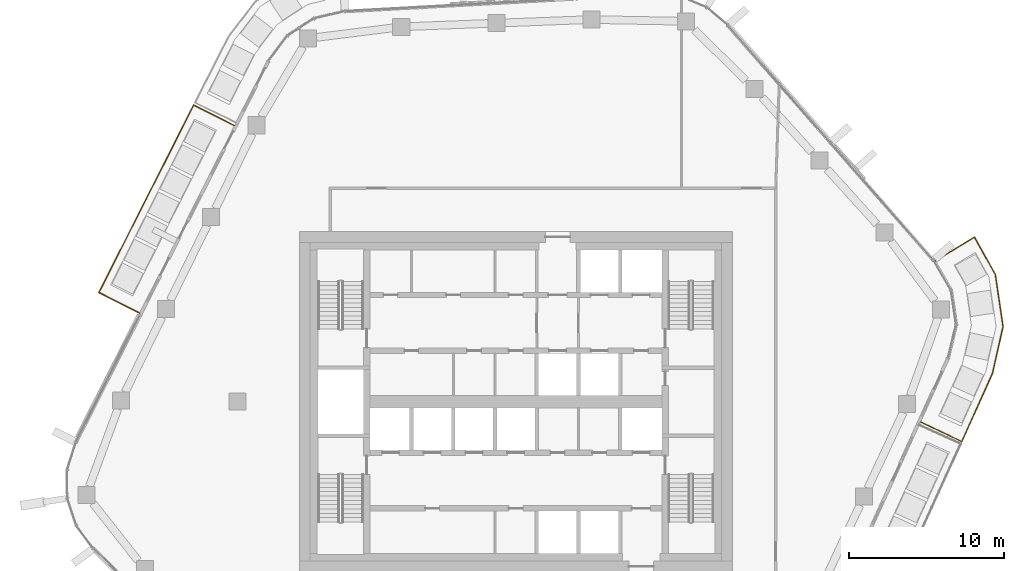
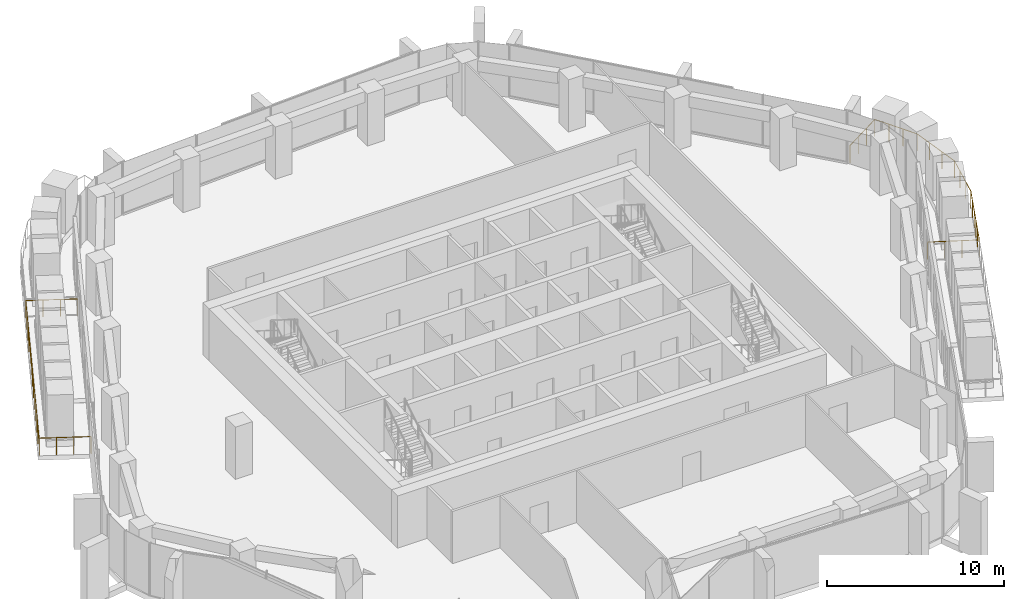
# One storey, part 18 of 21: 2 railings.
"""IFC4 building model written with IfcOpenShell, lengths in metres."""

from ifc_helpers import new_model, si_unit, direction, frame, origin, origin_2d, place, context, subcontext, project, spatial, circle, extrude, material, type_object, element, save


model = new_model("IFC4")

# Units and contexts
model_context = context("Model", 3, precision=1e-05, world=origin(), true_north=direction((0.0, 1.0)))
body_context = subcontext(model_context, "Body", "Model", "MODEL_VIEW")
ifc_project = project(units=[si_unit("LENGTHUNIT", "METRE"), si_unit("AREAUNIT", "SQUARE_METRE"), si_unit("VOLUMEUNIT", "CUBIC_METRE"), si_unit("PLANEANGLEUNIT", "RADIAN"), si_unit("MASSUNIT", "GRAM", prefix="KILO")], contexts=[model_context])

# Site, building, storey
site_placement = place(None, origin())
site = spatial("IfcSite", under=ifc_project, at=site_placement, CompositionType="ELEMENT")
building_placement = place(site_placement, origin())
building = spatial("IfcBuilding", under=site, at=building_placement, Name="Dongbaek Canopy Tower", CompositionType="ELEMENT")
storey_placement = place(building_placement, frame((0.0, 0.0, 279.0)))
storey = spatial("IfcBuildingStorey", under=building, at=storey_placement, Name="L59", CompositionType="ELEMENT", Elevation=279.0)

# Railings
ifc_material = material(Name="Stainless steel", Category="steel")
railing_type = type_object("IfcRailingType", Name="Balcony balustrade 1200", PredefinedType="BALUSTRADE", material=ifc_material)
railing_1_placement = place(storey_placement, frame((-18.214111328125, 17.8583984375, 0.0)))
element("IfcRailing", 1, at=railing_1_placement, inside=storey, type_object=railing_type, Name="Balcony guard L59 1", PredefinedType="BALUSTRADE", context=body_context, shape_type="SweptSolid", body=[
    extrude(circle(Radius=0.02392578125, at=origin_2d()), frame((0.0, 0.0, 1.17578125), z_axis=(-0.892475514036, 0.451095839978, 0.0), x_axis=(-0.451095839978, -0.892475514036, 0.0)), (0.0, 0.0, 1.0), 2.93994140625),
    extrude(circle(Radius=0.02392578125, at=origin_2d()), frame((-2.623779296875, 1.326171875, 1.17578125), z_axis=(-0.451048184688, -0.89249959949, 0.0), x_axis=(0.89249959949, -0.451048184688, 0.0)), (0.0, 0.0, 1.0), 13.5849609375),
    extrude(circle(Radius=0.02392578125, at=origin_2d()), frame((-8.751220703125, -10.79833984375, 1.17578125), z_axis=(0.892492410601, -0.451062409228, 0.0), x_axis=(0.451062409228, 0.892492410601, 0.0)), (0.0, 0.0, 1.0), 2.940185546875),
    extrude(circle(Radius=0.02099609375, at=origin_2d()), origin(), (0.0, 0.0, 1.0), 1.15185546875),
    extrude(circle(Radius=0.02099609375, at=origin_2d()), frame((-0.87451171875, 0.442138671875, 0.0)), (0.0, 0.0, 1.0), 1.15185546875),
    extrude(circle(Radius=0.02099609375, at=origin_2d()), frame((-1.749267578125, 0.884033203125, 0.0)), (0.0, 0.0, 1.0), 1.15185546875),
    extrude(circle(Radius=0.02099609375, at=origin_2d()), frame((-2.623779296875, 1.326171875, 0.0)), (0.0, 0.0, 1.0), 1.15185546875),
    extrude(circle(Radius=0.02099609375, at=origin_2d()), frame((-3.13427734375, 0.31591796875, 0.0)), (0.0, 0.0, 1.0), 1.15185546875),
    extrude(circle(Radius=0.02099609375, at=origin_2d()), frame((-3.64501953125, -0.694580078125, 0.0)), (0.0, 0.0, 1.0), 1.15185546875),
    extrude(circle(Radius=0.02099609375, at=origin_2d()), frame((-4.15576171875, -1.705078125, 0.0)), (0.0, 0.0, 1.0), 1.15185546875),
    extrude(circle(Radius=0.02099609375, at=origin_2d()), frame((-4.666259765625, -2.71533203125, 0.0)), (0.0, 0.0, 1.0), 1.15185546875),
    extrude(circle(Radius=0.02099609375, at=origin_2d()), frame((-5.1767578125, -3.7255859375, 0.0)), (0.0, 0.0, 1.0), 1.15185546875),
    extrude(circle(Radius=0.02099609375, at=origin_2d()), frame((-5.6875, -4.736083984375, 0.0)), (0.0, 0.0, 1.0), 1.15185546875),
    extrude(circle(Radius=0.02099609375, at=origin_2d()), frame((-6.1982421875, -5.74658203125, 0.0)), (0.0, 0.0, 1.0), 1.15185546875),
    extrude(circle(Radius=0.02099609375, at=origin_2d()), frame((-6.708740234375, -6.7568359375, 0.0)), (0.0, 0.0, 1.0), 1.15185546875),
    extrude(circle(Radius=0.02099609375, at=origin_2d()), frame((-7.21923828125, -7.76708984375, 0.0)), (0.0, 0.0, 1.0), 1.15185546875),
    extrude(circle(Radius=0.02099609375, at=origin_2d()), frame((-7.72998046875, -8.777587890625, 0.0)), (0.0, 0.0, 1.0), 1.15185546875),
    extrude(circle(Radius=0.02099609375, at=origin_2d()), frame((-8.24072265625, -9.7880859375, 0.0)), (0.0, 0.0, 1.0), 1.15185546875),
    extrude(circle(Radius=0.02099609375, at=origin_2d()), frame((-8.751220703125, -10.79833984375, 0.0)), (0.0, 0.0, 1.0), 1.15185546875),
    extrude(circle(Radius=0.02099609375, at=origin_2d()), frame((-7.87646484375, -11.240478515625, 0.0)), (0.0, 0.0, 1.0), 1.15185546875),
    extrude(circle(Radius=0.02099609375, at=origin_2d()), frame((-7.001953125, -11.682373046875, 0.0)), (0.0, 0.0, 1.0), 1.15185546875),
    extrude(circle(Radius=0.02099609375, at=origin_2d()), frame((-6.127197265625, -12.12451171875, 0.0)), (0.0, 0.0, 1.0), 1.15185546875),
])
railing_2_placement = place(storey_placement, frame((26.17333984375, -1.311767578125, 0.0)))
element("IfcRailing", 2, at=railing_2_placement, inside=storey, type_object=railing_type, Name="Balcony guard L59 3", PredefinedType="BALUSTRADE", context=body_context, shape_type="SweptSolid", body=[
    extrude(circle(Radius=0.02392578125, at=origin_2d()), frame((0.0, 0.0, 1.17578125), z_axis=(0.901726361885, -0.432307261425, 0.0), x_axis=(0.432307261425, 0.901726361885, 0.0)), (0.0, 0.0, 1.0), 2.940673828125),
    extrude(circle(Radius=0.02392578125, at=origin_2d()), frame((2.651611328125, -1.271240234375, 1.17578125), z_axis=(0.411329334381, 0.911486795668, 0.0), x_axis=(-0.911486795668, 0.411329334381, 0.0)), (0.0, 0.0, 1.0), 4.8291015625),
    extrude(circle(Radius=0.02392578125, at=origin_2d()), frame((4.637939453125, 3.13037109375, 1.17578125), z_axis=(0.220967640791, 0.975281139838, 0.0), x_axis=(-0.975281139838, 0.220967640791, 0.0)), (0.0, 0.0, 1.0), 3.116943359375),
    extrude(circle(Radius=0.02392578125, at=origin_2d()), frame((5.32666015625, 6.170166015625, 1.17578125), z_axis=(-0.145870858119, 0.989303640321, 0.0), x_axis=(-0.989303640321, -0.145870858119, 0.0)), (0.0, 0.0, 1.0), 3.394287109375),
    extrude(circle(Radius=0.02392578125, at=origin_2d()), frame((4.83154296875, 9.528076171875, 1.17578125), z_axis=(-0.487367712739, 0.873196834957, 0.0), x_axis=(-0.873196834957, -0.487367712739, 0.0)), (0.0, 0.0, 1.0), 2.78662109375),
    extrude(circle(Radius=0.02392578125, at=origin_2d()), frame((3.473388671875, 11.96142578125, 1.17578125), z_axis=(-0.853185367869, -0.521607829748, 0.0), x_axis=(0.521607829748, -0.853185367869, 0.0)), (0.0, 0.0, 1.0), 2.940673828125),
    extrude(circle(Radius=0.02099609375, at=origin_2d()), origin(), (0.0, 0.0, 1.0), 1.15185546875),
    extrude(circle(Radius=0.02099609375, at=origin_2d()), frame((0.8837890625, -0.423828125, 0.0)), (0.0, 0.0, 1.0), 1.15185546875),
    extrude(circle(Radius=0.02099609375, at=origin_2d()), frame((1.767822265625, -0.847412109375, 0.0)), (0.0, 0.0, 1.0), 1.15185546875),
    extrude(circle(Radius=0.02099609375, at=origin_2d()), frame((2.651611328125, -1.271240234375, 0.0)), (0.0, 0.0, 1.0), 1.15185546875),
    extrude(circle(Radius=0.02099609375, at=origin_2d()), frame((3.048828125, -0.390869140625, 0.0)), (0.0, 0.0, 1.0), 1.15185546875),
    extrude(circle(Radius=0.02099609375, at=origin_2d()), frame((3.446044921875, 0.489501953125, 0.0)), (0.0, 0.0, 1.0), 1.15185546875),
    extrude(circle(Radius=0.02099609375, at=origin_2d()), frame((3.843505859375, 1.36962890625, 0.0)), (0.0, 0.0, 1.0), 1.15185546875),
    extrude(circle(Radius=0.02099609375, at=origin_2d()), frame((4.24072265625, 2.25, 0.0)), (0.0, 0.0, 1.0), 1.15185546875),
    extrude(circle(Radius=0.02099609375, at=origin_2d()), frame((4.637939453125, 3.13037109375, 0.0)), (0.0, 0.0, 1.0), 1.15185546875),
    extrude(circle(Radius=0.02099609375, at=origin_2d()), frame((4.867431640625, 4.1435546875, 0.0)), (0.0, 0.0, 1.0), 1.15185546875),
    extrude(circle(Radius=0.02099609375, at=origin_2d()), frame((5.09716796875, 5.156982421875, 0.0)), (0.0, 0.0, 1.0), 1.15185546875),
    extrude(circle(Radius=0.02099609375, at=origin_2d()), frame((5.32666015625, 6.170166015625, 0.0)), (0.0, 0.0, 1.0), 1.15185546875),
    extrude(circle(Radius=0.02099609375, at=origin_2d()), frame((5.16162109375, 7.28955078125, 0.0)), (0.0, 0.0, 1.0), 1.15185546875),
    extrude(circle(Radius=0.02099609375, at=origin_2d()), frame((4.99658203125, 8.40869140625, 0.0)), (0.0, 0.0, 1.0), 1.15185546875),
    extrude(circle(Radius=0.02099609375, at=origin_2d()), frame((4.83154296875, 9.528076171875, 0.0)), (0.0, 0.0, 1.0), 1.15185546875),
    extrude(circle(Radius=0.02099609375, at=origin_2d()), frame((4.37890625, 10.339111328125, 0.0)), (0.0, 0.0, 1.0), 1.15185546875),
    extrude(circle(Radius=0.02099609375, at=origin_2d()), frame((3.926025390625, 11.150390625, 0.0)), (0.0, 0.0, 1.0), 1.15185546875),
    extrude(circle(Radius=0.02099609375, at=origin_2d()), frame((3.473388671875, 11.96142578125, 0.0)), (0.0, 0.0, 1.0), 1.15185546875),
    extrude(circle(Radius=0.02099609375, at=origin_2d()), frame((2.636962890625, 11.4501953125, 0.0)), (0.0, 0.0, 1.0), 1.15185546875),
    extrude(circle(Radius=0.02099609375, at=origin_2d()), frame((1.80078125, 10.938720703125, 0.0)), (0.0, 0.0, 1.0), 1.15185546875),
    extrude(circle(Radius=0.02099609375, at=origin_2d()), frame((0.96435546875, 10.427490234375, 0.0)), (0.0, 0.0, 1.0), 1.15185546875),
])

save(model, "model.ifc")
